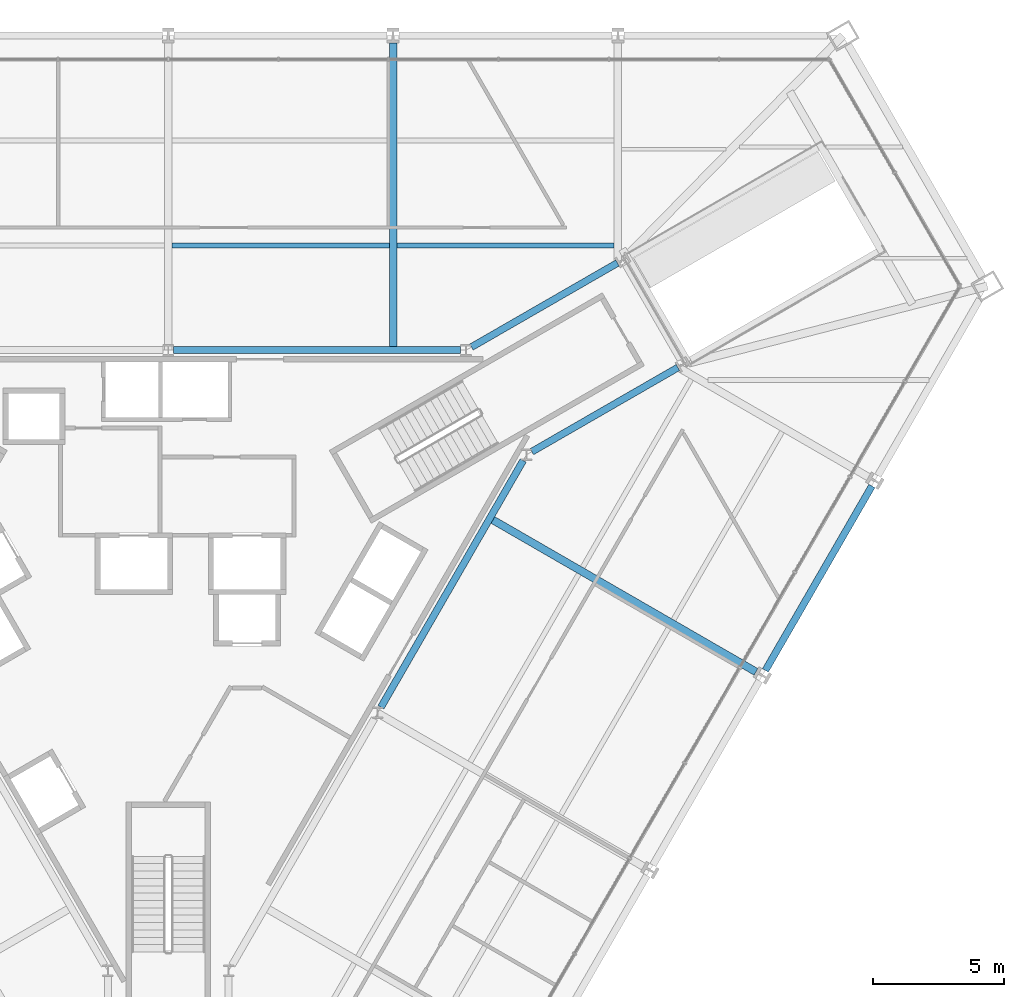
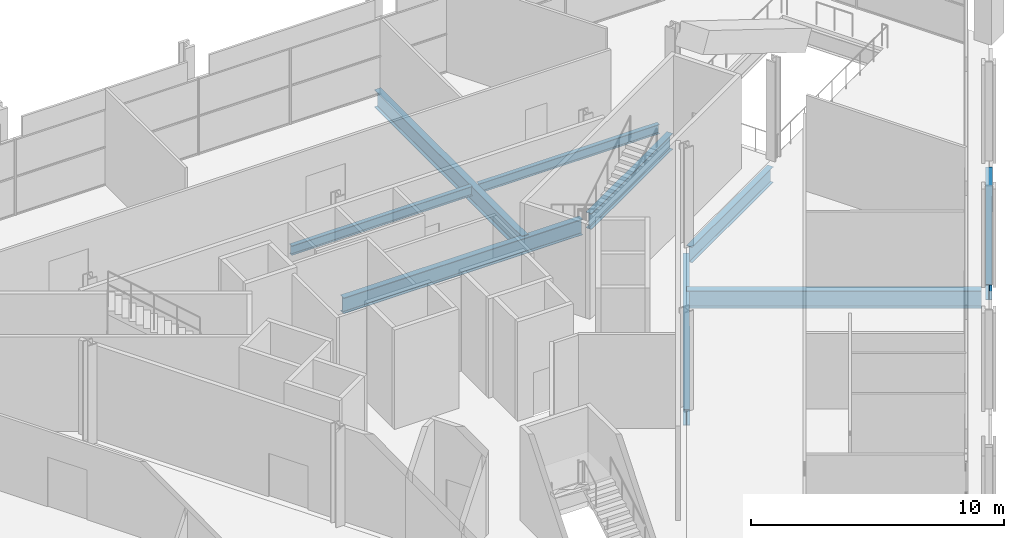
# One storey, part 8 of 18: 9 beams.
"""IFC4 building model written with IfcOpenShell, lengths in metres."""

from ifc_helpers import new_model, si_unit, direction, frame, origin, origin_2d, place, context, subcontext, project, spatial, i_section, extrude, material, material_profile, profile_set, type_object, element, save


model = new_model("IFC4")

# Units and contexts
model_context = context("Model", 3, precision=1e-05, world=origin(), true_north=direction((0.0, 1.0)))
body_context = subcontext(model_context, "Body", "Model", "MODEL_VIEW")
ifc_project = project(units=[si_unit("LENGTHUNIT", "METRE"), si_unit("AREAUNIT", "SQUARE_METRE"), si_unit("VOLUMEUNIT", "CUBIC_METRE"), si_unit("PLANEANGLEUNIT", "RADIAN"), si_unit("MASSUNIT", "GRAM", prefix="KILO")], contexts=[model_context])

# Site, building, storey
site_placement = place(None, origin())
site = spatial("IfcSite", under=ifc_project, at=site_placement, CompositionType="ELEMENT")
building_placement = place(site_placement, origin())
building = spatial("IfcBuilding", under=site, at=building_placement, Name="Verrane Prism Tower", CompositionType="ELEMENT")
storey_placement = place(building_placement, frame((0.0, 0.0, 27.199951171875)))
storey = spatial("IfcBuildingStorey", under=building, at=storey_placement, Name="L04", CompositionType="ELEMENT", Elevation=27.199951171875)

# Beams
ifc_material_1 = material(Name="Steel A992", Category="steel")
ifc_material_profile_1 = material_profile(ifc_material_1, i_section(OverallWidth=0.2666015625, OverallDepth=0.76708984375, WebThickness=0.014892578125, FlangeThickness=0.023681640625, FilletRadius=0.0166015625, at=origin_2d()), Name="W30x124")
ifc_profile_set_1 = profile_set([ifc_material_profile_1], Name="Steel A992")
beam_type_1 = type_object("IfcBeamType", Name="Core ring girder W30x124", PredefinedType="BEAM", material=ifc_profile_set_1)
for number, where, z_axis, x_axis, name in (
    (1, (13.835693359375, 5.338623046875, -0.633544921875), (0.866455356291, 0.499254559873, 0.0), (-0.499254559873, 0.866455356291, 0.0), "Core ring girder L04"),
    (2, (17.09423828125, 12.521484375, -0.633544921875), (-0.866455356291, -0.499254559873, 0.0), (0.499254559873, -0.866455356291, 0.0), "Core ring girder L04"),
):
    element("IfcBeam", number, at=place(storey_placement, frame(where, z_axis=z_axis, x_axis=x_axis)), inside=storey, type_object=beam_type_1, Name=name, PredefinedType="BEAM", context=body_context, shape_type="SweptSolid", body=[
        extrude(i_section(OverallWidth=0.2666015625, OverallDepth=0.76708984375, WebThickness=0.014892578125, FlangeThickness=0.023681640625, FilletRadius=0.0166015625, at=origin_2d()), origin(), (0.0, 0.0, 1.0), 6.415283203125),
    ])
beam_1_placement = place(storey_placement, frame((11.124267578125, 9.199951171875, -0.633544921875), z_axis=(-1.0, 0.0, 0.0), x_axis=(0.0, -1.0, 0.0)))
element("IfcBeam", 3, at=beam_1_placement, inside=storey, type_object=beam_type_1, Name="Core ring girder L04", PredefinedType="BEAM", context=body_context, shape_type="SweptSolid", body=[
    extrude(i_section(OverallWidth=0.2666015625, OverallDepth=0.76708984375, WebThickness=0.014892578125, FlangeThickness=0.023681640625, FilletRadius=0.0166015625, at=origin_2d()), origin(), (0.0, 0.0, 1.0), 10.91845703125),
])
beam_2_placement = place(storey_placement, frame((8.09521484375, -4.3828125, -0.633544921875), z_axis=(0.499373178085, 0.866386997253, 0.0), x_axis=(-0.866386997253, 0.499373178085, 0.0)))
element("IfcBeam", 4, at=beam_2_placement, inside=storey, type_object=beam_type_1, Name="Core ring girder L04", PredefinedType="BEAM", context=body_context, shape_type="SweptSolid", body=[
    extrude(i_section(OverallWidth=0.2666015625, OverallDepth=0.76708984375, WebThickness=0.014892578125, FlangeThickness=0.023681640625, FilletRadius=0.0166015625, at=origin_2d()), origin(), (0.0, 0.0, 1.0), 10.8330078125),
])
ifc_material_2 = material(Name="Steel A992", Category="steel")
ifc_material_profile_2 = material_profile(ifc_material_2, i_section(OverallWidth=0.1904296875, OverallDepth=0.457275390625, WebThickness=0.009033203125, FlangeThickness=0.014404296875, FilletRadius=0.01025390625, at=origin_2d()), Name="W18x50")
ifc_profile_set_2 = profile_set([ifc_material_profile_2], Name="Steel A992")
beam_type_2 = type_object("IfcBeamType", Name="Floor beam W18x50", PredefinedType="BEAM", material=ifc_profile_set_2)
beam_3_placement = place(storey_placement, frame((8.7060546875, 13.18994140625, -0.388671875), z_axis=(1.0, 0.0, 0.0), x_axis=(0.0, 1.0, 0.0)))
element("IfcBeam", 5, at=beam_3_placement, inside=storey, type_object=beam_type_2, Name="Floor beam L04", PredefinedType="BEAM", context=body_context, shape_type="SweptSolid", body=[
    extrude(i_section(OverallWidth=0.1904296875, OverallDepth=0.457275390625, WebThickness=0.009033203125, FlangeThickness=0.014404296875, FilletRadius=0.01025390625, at=origin_2d()), origin(), (0.0, 0.0, 1.0), 8.258056640625),
])
beam_4_placement = place(storey_placement, frame((0.14599609375, 13.18994140625, -0.388671875), z_axis=(1.0, 0.0, 0.0), x_axis=(0.0, 1.0, 0.0)))
element("IfcBeam", 6, at=beam_4_placement, inside=storey, type_object=beam_type_2, Name="Floor beam L04", PredefinedType="BEAM", context=body_context, shape_type="SweptSolid", body=[
    extrude(i_section(OverallWidth=0.1904296875, OverallDepth=0.457275390625, WebThickness=0.009033203125, FlangeThickness=0.014404296875, FilletRadius=0.01025390625, at=origin_2d()), origin(), (0.0, 0.0, 1.0), 8.26806640625),
])
ifc_material_3 = material(Name="Steel A992", Category="steel")
ifc_material_profile_3 = material_profile(ifc_material_3, i_section(OverallWidth=0.2919921875, OverallDepth=0.845703125, WebThickness=0.015380859375, FlangeThickness=0.0244140625, FilletRadius=0.017822265625, at=origin_2d()), Name="W33x141")
ifc_profile_set_3 = profile_set([ifc_material_profile_3], Name="Steel A992")
beam_type_3 = type_object("IfcBeamType", Name="Radial girder W33x141", PredefinedType="BEAM", material=ifc_profile_set_3)
beam_5_placement = place(storey_placement, frame((8.56005859375, 20.885498046875, -0.642822265625), z_axis=(0.0, -1.0, 0.0), x_axis=(1.0, 0.0, 0.0)))
element("IfcBeam", 7, at=beam_5_placement, inside=storey, type_object=beam_type_3, Name="Radial girder L04", PredefinedType="BEAM", context=body_context, shape_type="SweptSolid", body=[
    extrude(i_section(OverallWidth=0.2919921875, OverallDepth=0.845703125, WebThickness=0.015380859375, FlangeThickness=0.0244140625, FilletRadius=0.017822265625, at=origin_2d()), origin(), (0.0, 0.0, 1.0), 11.685546875),
])
beam_6_placement = place(storey_placement, frame((22.363525390625, -3.037841796875, -0.642822265625), z_axis=(-0.86602143351, 0.500006876654, 0.0), x_axis=(-0.500006876654, -0.86602143351, 0.0)))
element("IfcBeam", 8, at=beam_6_placement, inside=storey, type_object=beam_type_3, Name="Radial girder L04", PredefinedType="BEAM", context=body_context, shape_type="SweptSolid", body=[
    extrude(i_section(OverallWidth=0.2919921875, OverallDepth=0.845703125, WebThickness=0.015380859375, FlangeThickness=0.0244140625, FilletRadius=0.017822265625, at=origin_2d()), origin(), (0.0, 0.0, 1.0), 11.690185546875),
])
ifc_material_4 = material(Name="Steel A992", Category="steel")
ifc_material_profile_4 = material_profile(ifc_material_4, i_section(OverallWidth=0.2666015625, OverallDepth=0.76708984375, WebThickness=0.014892578125, FlangeThickness=0.023681640625, FilletRadius=0.0166015625, at=origin_2d()), Name="W30x124")
ifc_profile_set_4 = profile_set([ifc_material_profile_4], Name="Steel A992")
beam_type_4 = type_object("IfcBeamType", Name="Spandrel beam W30x124", PredefinedType="SPANDREL", material=ifc_profile_set_4)
beam_7_placement = place(storey_placement, frame((22.7236328125, -2.983154296875, -0.54345703125), z_axis=(0.500170167531, 0.865927135221, 0.0), x_axis=(-0.865927135221, 0.500170167531, 0.0)))
element("IfcBeam", 9, at=beam_7_placement, inside=storey, type_object=beam_type_4, Name="Spandrel beam L04", PredefinedType="SPANDREL", context=body_context, shape_type="SweptSolid", body=[
    extrude(i_section(OverallWidth=0.2666015625, OverallDepth=0.76708984375, WebThickness=0.014892578125, FlangeThickness=0.023681640625, FilletRadius=0.0166015625, at=origin_2d()), origin(), (0.0, 0.0, 1.0), 8.102783203125),
])

save(model, "model.ifc")
